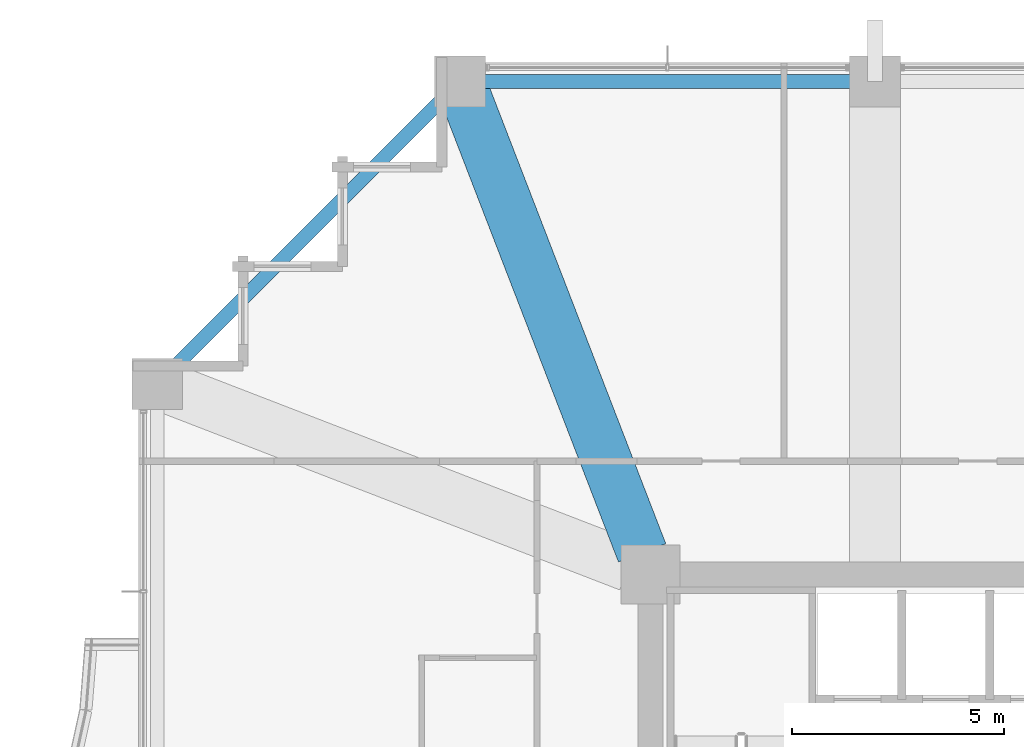
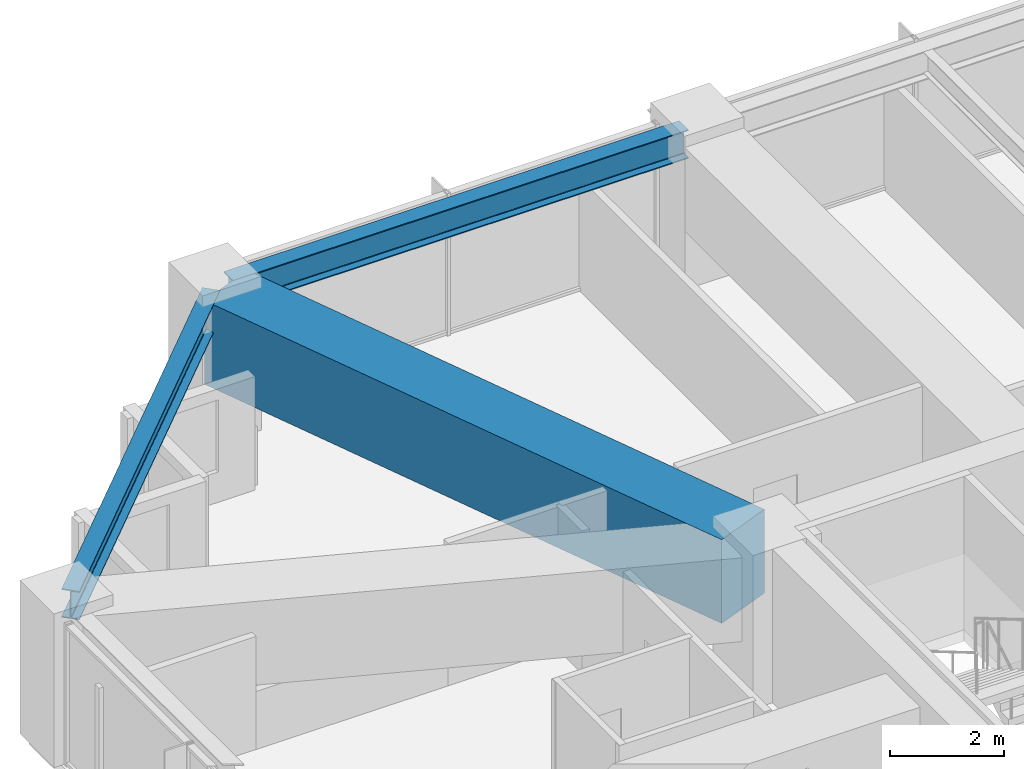
# One storey, part 21 of 39: 3 beams.
"""IFC4 building model written with IfcOpenShell, lengths in metres."""

from ifc_helpers import new_model, si_unit, direction, frame, origin, origin_2d, place, context, subcontext, project, spatial, rectangle, i_section, extrude, material, material_profile, profile_set, type_object, element, save


model = new_model("IFC4")

# Units and contexts
model_context = context("Model", 3, precision=1e-05, world=origin(), true_north=direction((0.0, 1.0)))
body_context = subcontext(model_context, "Body", "Model", "MODEL_VIEW")
ifc_project = project(units=[si_unit("LENGTHUNIT", "METRE"), si_unit("AREAUNIT", "SQUARE_METRE"), si_unit("VOLUMEUNIT", "CUBIC_METRE"), si_unit("PLANEANGLEUNIT", "RADIAN"), si_unit("MASSUNIT", "GRAM", prefix="KILO")], contexts=[model_context])

# Site, building, storey
site_placement = place(None, origin())
site = spatial("IfcSite", under=ifc_project, at=site_placement, CompositionType="ELEMENT")
building_placement = place(site_placement, origin())
building = spatial("IfcBuilding", under=site, at=building_placement, Name="Kolvaren Belvedere", CompositionType="ELEMENT")
storey_placement = place(building_placement, frame((0.0, 0.0, 40.300048828125)))
storey = spatial("IfcBuildingStorey", under=building, at=storey_placement, Name="L11", CompositionType="ELEMENT", Elevation=40.300048828125)

# Beams
ifc_material_1 = material(Name="Structural steel ASTM A992 Grade 50", Category="steel")
ifc_material_profile_1 = material_profile(ifc_material_1, i_section(OverallWidth=0.324951171875, OverallDepth=0.615966796875, WebThickness=0.013916015625, FlangeThickness=0.021484375, FilletRadius=0.02001953125, at=origin_2d()), Name="W24X117")
ifc_profile_set_1 = profile_set([ifc_material_profile_1], Name="Structural steel ASTM A992 Grade 50")
beam_type_1 = type_object("IfcBeamType", Name="BM-SPAN-W24X117", PredefinedType="SPANDREL", material=ifc_profile_set_1)
beam_1_placement = place(storey_placement, frame((-4.8701171875, 21.550048828125, 2.751953125), z_axis=(-1.0, 0.0, 0.0), x_axis=(0.0, -1.0, 0.0)))
element("IfcBeam", 1, at=beam_1_placement, inside=storey, type_object=beam_type_1, Name="L11 Perimeter Spandrel N2-N1", PredefinedType="SPANDREL", context=body_context, shape_type="SweptSolid", body=[
    extrude(i_section(OverallWidth=0.324951171875, OverallDepth=0.615966796875, WebThickness=0.013916015625, FlangeThickness=0.021484375, FilletRadius=0.02001953125, at=origin_2d()), origin(), (0.0, 0.0, 1.0), 9.259765625),
])
beam_2_placement = place(storey_placement, frame((-14.5908203125, 21.359130859375, 2.751953125), z_axis=(-0.707106781187, -0.707106781187, 0.0), x_axis=(0.707106781187, -0.707106781187, 0.0)))
element("IfcBeam", 2, at=beam_2_placement, inside=storey, type_object=beam_type_1, Name="L11 Perimeter Spandrel N1-W4", PredefinedType="SPANDREL", context=body_context, shape_type="SweptSolid", body=[
    extrude(i_section(OverallWidth=0.324951171875, OverallDepth=0.615966796875, WebThickness=0.013916015625, FlangeThickness=0.021484375, FilletRadius=0.02001953125, at=origin_2d()), origin(), (0.0, 0.0, 1.0), 9.57177734375),
])
ifc_material_2 = material(Name="Concrete C50/60", Category="concrete")
ifc_material_profile_2 = material_profile(ifc_material_2, rectangle(XDim=1.199951171875, YDim=1.800048828125, at=origin_2d()), Name="RC 1200X1800")
ifc_profile_set_2 = profile_set([ifc_material_profile_2], Name="Concrete C50/60")
beam_type_2 = type_object("IfcBeamType", Name="BM-TG-1800", PredefinedType="BEAM", material=ifc_profile_set_2)
beam_3_placement = place(storey_placement, frame((-10.09814453125, 10.4130859375, 2.159912109375), z_axis=(-0.360318391835, 0.932829382313, 0.0), x_axis=(-0.932829382313, -0.360318391835, 0.0)))
element("IfcBeam", 3, at=beam_3_placement, inside=storey, type_object=beam_type_2, Name="L11 Corner Core-to-Perimeter Girder CC4-N1", PredefinedType="BEAM", context=body_context, shape_type="SweptSolid", body=[
    extrude(rectangle(XDim=1.199951171875, YDim=1.800048828125, at=origin_2d()), origin(), (0.0, 0.0, 1.0), 11.698974609375),
])

save(model, "model.ifc")
